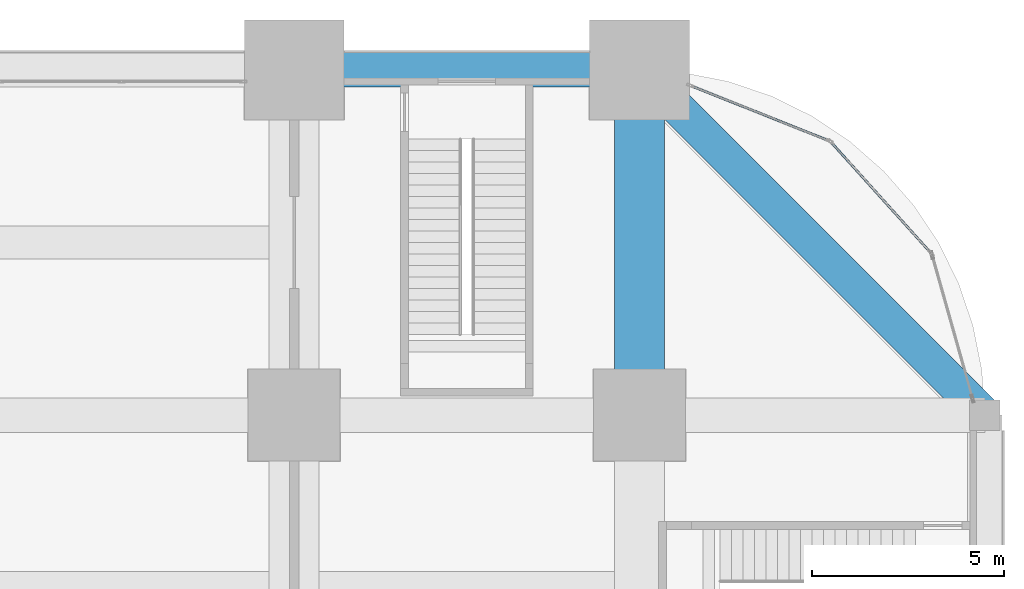
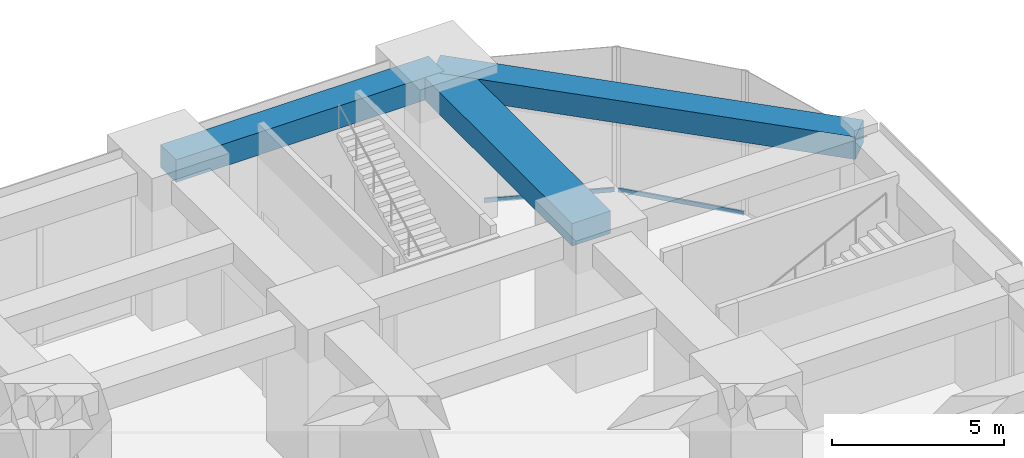
# One storey, part 38 of 45: 3 beams, 2 members, 2 elements without a shape of their own.
"""IFC4 building model written with IfcOpenShell, lengths in metres."""

from ifc_helpers import new_model, si_unit, direction, frame, origin, origin_2d, place, context, subcontext, project, spatial, rectangle, hollow_rectangle, extrude, material, material_profile, profile_set, type_object, element, aggregate, save


model = new_model("IFC4")

# Units and contexts
model_context = context("Model", 3, precision=1e-05, world=origin(), true_north=direction((0.0, 1.0)))
body_context = subcontext(model_context, "Body", "Model", "MODEL_VIEW")
ifc_project = project(units=[si_unit("LENGTHUNIT", "METRE"), si_unit("AREAUNIT", "SQUARE_METRE"), si_unit("VOLUMEUNIT", "CUBIC_METRE"), si_unit("PLANEANGLEUNIT", "RADIAN"), si_unit("MASSUNIT", "GRAM", prefix="KILO")], contexts=[model_context])

# Site, building, storey
site_placement = place(None, origin())
site = spatial("IfcSite", under=ifc_project, at=site_placement, CompositionType="ELEMENT")
building_placement = place(site_placement, origin())
building = spatial("IfcBuilding", under=site, at=building_placement, Name="Zorevar Civic Tower", CompositionType="ELEMENT")
storey_placement = place(building_placement, frame((0.0, 0.0, 5.39990234375)))
storey = spatial("IfcBuildingStorey", under=building, at=storey_placement, Name="L01", CompositionType="ELEMENT", Elevation=5.39990234375)

# Beam
ifc_material_1 = material(Name="Concrete C50/60", Category="concrete")
ifc_material_profile_1 = material_profile(ifc_material_1, rectangle(XDim=1.300048828125, YDim=0.800048828125, at=origin_2d()), Name="RC 1300x800")
ifc_profile_set_1 = profile_set([ifc_material_profile_1], Name="Concrete C50/60")
beam_type_1 = type_object("IfcBeamType", Name="Beam RC 1300x800", PredefinedType="BEAM", material=ifc_profile_set_1)
beam_1_placement = place(storey_placement, frame((63.0, 45.0, 4.7001953125), z_axis=(0.0, 1.0, 0.0), x_axis=(-1.0, 0.0, 0.0)))
element("IfcBeam", 1, at=beam_1_placement, inside=storey, type_object=beam_type_1, Name="Girder L02", PredefinedType="BEAM", context=body_context, shape_type="SweptSolid", body=[
    extrude(rectangle(XDim=1.300048828125, YDim=0.800048828125, at=origin_2d()), origin(), (0.0, 0.0, 1.0), 9.0),
])

# Curtain wall, member
ifc_material_2 = material(Name="Dark grey solar-control glass in black aluminium frame", Category="aluminium")
curtain_wall_type = type_object("IfcCurtainWallType", Name="Curtain wall CW1 podium", PredefinedType="NOTDEFINED", material=ifc_material_2)
curtain_wall_1_placement = place(storey_placement, origin())
curtain_wall_1 = element("IfcCurtainWall", 2, at=curtain_wall_1_placement, inside=storey, type_object=curtain_wall_type, Name="CW1 L01", PredefinedType="NOTDEFINED")
ifc_material_3 = material(Name="Aluminium, black anodised", Category="aluminium")
ifc_material_profile_2 = material_profile(ifc_material_3, hollow_rectangle(XDim=0.06005859375, YDim=0.14990234375, WallThickness=0.00390625, at=origin_2d()), Name="AL 150x60x4")
ifc_profile_set_2 = profile_set([ifc_material_profile_2], Name="Aluminium, black anodised")
member_type = type_object("IfcMemberType", Name="CW1 transom AL 150x60x4", PredefinedType="USERDEFINED", material=ifc_profile_set_2)
member_1_placement = place(storey_placement, frame((70.576904296875, 49.248046875, 0.030029296875), z_axis=(-0.669390521788, 0.742910714245, 0.0), x_axis=(-0.742910714245, -0.669390521788, 0.0)))
member_1 = element("IfcMember", 3, at=member_1_placement, type_object=member_type, Name="CW1 sill transom", ObjectType="TRANSOM", PredefinedType="USERDEFINED", context=body_context, shape_type="SweptSolid", body=[
    extrude(hollow_rectangle(XDim=0.06005859375, YDim=0.14990234375, WallThickness=0.00390625, at=origin_2d()), origin(), (0.0, 0.0, 1.0), 3.83203125),
])
aggregate(curtain_wall_1, [member_1])

curtain_wall_2_placement = place(storey_placement, origin())
curtain_wall_2 = element("IfcCurtainWall", 4, at=curtain_wall_2_placement, inside=storey, type_object=curtain_wall_type, Name="CW1 L01", PredefinedType="NOTDEFINED")
member_2_placement = place(storey_placement, frame((67.915771484375, 52.161865234375, 0.030029296875), z_axis=(-0.928998620575, 0.370083183851, 0.0), x_axis=(-0.370083183851, -0.928998620575, 0.0)))
member_2 = element("IfcMember", 5, at=member_2_placement, type_object=member_type, Name="CW1 sill transom", ObjectType="TRANSOM", PredefinedType="USERDEFINED", context=body_context, shape_type="SweptSolid", body=[
    extrude(hollow_rectangle(XDim=0.06005859375, YDim=0.14990234375, WallThickness=0.00390625, at=origin_2d()), origin(), (0.0, 0.0, 1.0), 3.83203125),
])
aggregate(curtain_wall_2, [member_2])

# Beams
ifc_material_4 = material(Name="Concrete C50/60", Category="concrete")
ifc_material_profile_3 = material_profile(ifc_material_4, rectangle(XDim=0.89990234375, YDim=0.800048828125, at=origin_2d()), Name="RC 900x800")
ifc_profile_set_3 = profile_set([ifc_material_profile_3], Name="Concrete C50/60")
beam_type_2 = type_object("IfcBeamType", Name="Edge beam RC 900x800", PredefinedType="SPANDREL", material=ifc_profile_set_3)
beam_2_placement = place(storey_placement, frame((54.0, 54.0, 4.7001953125), z_axis=(1.0, 0.0, 0.0), x_axis=(0.0, 1.0, 0.0)))
element("IfcBeam", 6, at=beam_2_placement, inside=storey, type_object=beam_type_2, Name="Edge beam L02", PredefinedType="SPANDREL", context=body_context, shape_type="SweptSolid", body=[
    extrude(rectangle(XDim=0.89990234375, YDim=0.800048828125, at=origin_2d()), origin(), (0.0, 0.0, 1.0), 9.0),
])
beam_3_placement = place(storey_placement, frame((72.0, 45.0, 4.7001953125), z_axis=(-0.707106781187, 0.707106781187, 0.0), x_axis=(-0.707106781187, -0.707106781187, 0.0)))
element("IfcBeam", 7, at=beam_3_placement, inside=storey, type_object=beam_type_2, Name="Corner edge beam L02", PredefinedType="SPANDREL", context=body_context, shape_type="SweptSolid", body=[
    extrude(rectangle(XDim=0.89990234375, YDim=0.800048828125, at=origin_2d()), origin(), (0.0, 0.0, 1.0), 12.72802734375),
])

save(model, "model.ifc")
